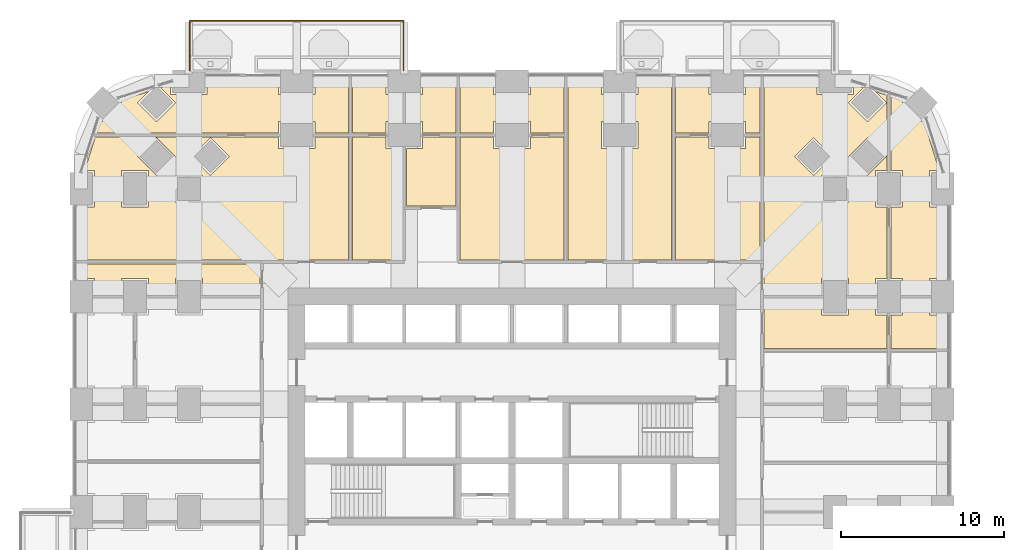
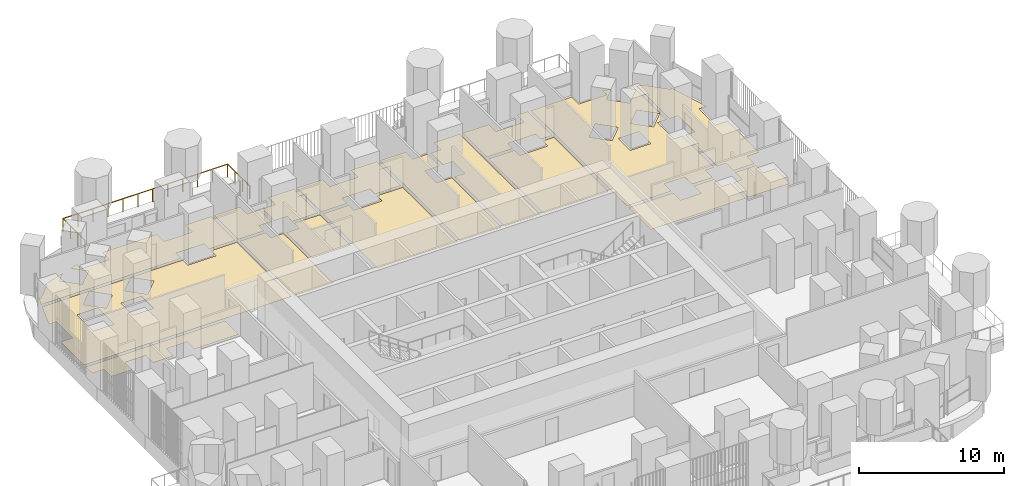
# One storey, part 25 of 27: 17 coverings, 1 railing.
"""IFC4 building model written with IfcOpenShell, lengths in metres."""

from ifc_helpers import new_model, si_unit, direction, frame, origin, place, context, subcontext, project, spatial, polyline, outline, extrude, material, layer, layer_set, type_object, element, save


model = new_model("IFC4")

# Units and contexts
model_context = context("Model", 3, precision=1e-05, world=origin(), true_north=direction((0.0, 1.0)))
body_context = subcontext(model_context, "Body", "Model", "MODEL_VIEW")
ifc_project = project(units=[si_unit("LENGTHUNIT", "METRE"), si_unit("AREAUNIT", "SQUARE_METRE"), si_unit("VOLUMEUNIT", "CUBIC_METRE"), si_unit("PLANEANGLEUNIT", "RADIAN"), si_unit("MASSUNIT", "GRAM", prefix="KILO")], contexts=[model_context])

# Site, building, storey
site_placement = place(None, origin())
site = spatial("IfcSite", under=ifc_project, at=site_placement, CompositionType="ELEMENT")
building_placement = place(site_placement, origin())
building = spatial("IfcBuilding", under=site, at=building_placement, Name="Cobogo Forest Laboratory Tower", CompositionType="ELEMENT")
storey_placement = place(building_placement, frame((0.0, 0.0, 71.699951171875)))
storey = spatial("IfcBuildingStorey", under=building, at=storey_placement, Name="L16", CompositionType="ELEMENT", Elevation=71.699951171875)

# Railing
ifc_material_1 = material(Name="Laminated glass balustrade", Category="glass")
railing_type = type_object("IfcRailingType", Name="BG1 glass balustrade 1100", PredefinedType="GUARDRAIL", material=ifc_material_1)
railing_placement = place(storey_placement, frame((6.64990234375, 46.85009765625, 0.0)))
element("IfcRailing", 1, at=railing_placement, inside=storey, type_object=railing_type, Name="Balcony balustrade BAL-N1 L16", PredefinedType="GUARDRAIL", context=body_context, shape_type="SweptSolid", body=[
    extrude(outline(polyline([(0.022216796875, 0.00927734375), (0.00927734375, 0.022216796875), (-0.00927734375, 0.022216796875), (-0.022216796875, 0.00927734375), (-0.022216796875, -0.00927734375), (-0.00927734375, -0.022216796875), (0.00927734375, -0.022216796875), (0.022216796875, -0.00927734375), (0.022216796875, 0.00927734375)])), frame((0.0, 0.0, 1.077880859375), z_axis=(0.0, 1.0, 0.0), x_axis=(-1.0, 0.0, 0.0)), (0.0, 0.0, 1.0), 3.0498046875),
    extrude(outline(polyline([(0.022216796875, 0.00927734375), (0.00927734375, 0.022216796875), (-0.00927734375, 0.022216796875), (-0.022216796875, 0.00927734375), (-0.022216796875, -0.00927734375), (-0.00927734375, -0.022216796875), (0.00927734375, -0.022216796875), (0.022216796875, -0.00927734375), (0.022216796875, 0.00927734375)])), frame((0.0, 3.0498046875, 1.077880859375), z_axis=(1.0, 0.0, 0.0), x_axis=(0.0, 1.0, 0.0)), (0.0, 0.0, 1.0), 13.10009765625),
    extrude(outline(polyline([(0.022216796875, 0.00927734375), (0.00927734375, 0.022216796875), (-0.00927734375, 0.022216796875), (-0.022216796875, 0.00927734375), (-0.022216796875, -0.00927734375), (-0.00927734375, -0.022216796875), (0.00927734375, -0.022216796875), (0.022216796875, -0.00927734375), (0.022216796875, 0.00927734375)])), frame((13.10009765625, 3.0498046875, 1.077880859375), z_axis=(0.0, -1.0, 0.0), x_axis=(1.0, 0.0, 0.0)), (0.0, 0.0, 1.0), 3.0498046875),
    extrude(outline(polyline([(0.019287109375, 0.008056640625), (0.008056640625, 0.019287109375), (-0.008056640625, 0.019287109375), (-0.019287109375, 0.008056640625), (-0.019287109375, -0.008056640625), (-0.008056640625, -0.019287109375), (0.008056640625, -0.019287109375), (0.019287109375, -0.008056640625), (0.019287109375, 0.008056640625)])), origin(), (0.0, 0.0, 1.0), 1.077880859375),
    extrude(outline(polyline([(0.019287109375, 0.008056640625), (0.008056640625, 0.019287109375), (-0.008056640625, 0.019287109375), (-0.019287109375, 0.008056640625), (-0.019287109375, -0.008056640625), (-0.008056640625, -0.019287109375), (0.008056640625, -0.019287109375), (0.019287109375, -0.008056640625), (0.019287109375, 0.008056640625)])), frame((0.0, 1.0166015625, 0.0)), (0.0, 0.0, 1.0), 1.077880859375),
    extrude(outline(polyline([(0.019287109375, 0.008056640625), (0.008056640625, 0.019287109375), (-0.008056640625, 0.019287109375), (-0.019287109375, 0.008056640625), (-0.019287109375, -0.008056640625), (-0.008056640625, -0.019287109375), (0.008056640625, -0.019287109375), (0.019287109375, -0.008056640625), (0.019287109375, 0.008056640625)])), frame((0.0, 2.033203125, 0.0)), (0.0, 0.0, 1.0), 1.077880859375),
    extrude(outline(polyline([(0.019287109375, 0.008056640625), (0.008056640625, 0.019287109375), (-0.008056640625, 0.019287109375), (-0.019287109375, 0.008056640625), (-0.019287109375, -0.008056640625), (-0.008056640625, -0.019287109375), (0.008056640625, -0.019287109375), (0.019287109375, -0.008056640625), (0.019287109375, 0.008056640625)])), frame((0.0, 3.0498046875, 0.0)), (0.0, 0.0, 1.0), 1.077880859375),
    extrude(outline(polyline([(0.019287109375, 0.008056640625), (0.008056640625, 0.019287109375), (-0.008056640625, 0.019287109375), (-0.019287109375, 0.008056640625), (-0.019287109375, -0.008056640625), (-0.008056640625, -0.019287109375), (0.008056640625, -0.019287109375), (0.019287109375, -0.008056640625), (0.019287109375, 0.008056640625)])), frame((1.19091796875, 3.0498046875, 0.0)), (0.0, 0.0, 1.0), 1.077880859375),
    extrude(outline(polyline([(0.019287109375, 0.008056640625), (0.008056640625, 0.019287109375), (-0.008056640625, 0.019287109375), (-0.019287109375, 0.008056640625), (-0.019287109375, -0.008056640625), (-0.008056640625, -0.019287109375), (0.008056640625, -0.019287109375), (0.019287109375, -0.008056640625), (0.019287109375, 0.008056640625)])), frame((2.3818359375, 3.0498046875, 0.0)), (0.0, 0.0, 1.0), 1.077880859375),
    extrude(outline(polyline([(0.019287109375, 0.008056640625), (0.008056640625, 0.019287109375), (-0.008056640625, 0.019287109375), (-0.019287109375, 0.008056640625), (-0.019287109375, -0.008056640625), (-0.008056640625, -0.019287109375), (0.008056640625, -0.019287109375), (0.019287109375, -0.008056640625), (0.019287109375, 0.008056640625)])), frame((3.57275390625, 3.0498046875, 0.0)), (0.0, 0.0, 1.0), 1.077880859375),
    extrude(outline(polyline([(0.019287109375, 0.008056640625), (0.008056640625, 0.019287109375), (-0.008056640625, 0.019287109375), (-0.019287109375, 0.008056640625), (-0.019287109375, -0.008056640625), (-0.008056640625, -0.019287109375), (0.008056640625, -0.019287109375), (0.019287109375, -0.008056640625), (0.019287109375, 0.008056640625)])), frame((4.763671875, 3.0498046875, 0.0)), (0.0, 0.0, 1.0), 1.077880859375),
    extrude(outline(polyline([(0.019287109375, 0.008056640625), (0.008056640625, 0.019287109375), (-0.008056640625, 0.019287109375), (-0.019287109375, 0.008056640625), (-0.019287109375, -0.008056640625), (-0.008056640625, -0.019287109375), (0.008056640625, -0.019287109375), (0.019287109375, -0.008056640625), (0.019287109375, 0.008056640625)])), frame((5.95458984375, 3.0498046875, 0.0)), (0.0, 0.0, 1.0), 1.077880859375),
    extrude(outline(polyline([(0.019287109375, 0.008056640625), (0.008056640625, 0.019287109375), (-0.008056640625, 0.019287109375), (-0.019287109375, 0.008056640625), (-0.019287109375, -0.008056640625), (-0.008056640625, -0.019287109375), (0.008056640625, -0.019287109375), (0.019287109375, -0.008056640625), (0.019287109375, 0.008056640625)])), frame((7.1455078125, 3.0498046875, 0.0)), (0.0, 0.0, 1.0), 1.077880859375),
    extrude(outline(polyline([(0.019287109375, 0.008056640625), (0.008056640625, 0.019287109375), (-0.008056640625, 0.019287109375), (-0.019287109375, 0.008056640625), (-0.019287109375, -0.008056640625), (-0.008056640625, -0.019287109375), (0.008056640625, -0.019287109375), (0.019287109375, -0.008056640625), (0.019287109375, 0.008056640625)])), frame((8.33642578125, 3.0498046875, 0.0)), (0.0, 0.0, 1.0), 1.077880859375),
    extrude(outline(polyline([(0.019287109375, 0.008056640625), (0.008056640625, 0.019287109375), (-0.008056640625, 0.019287109375), (-0.019287109375, 0.008056640625), (-0.019287109375, -0.008056640625), (-0.008056640625, -0.019287109375), (0.008056640625, -0.019287109375), (0.019287109375, -0.008056640625), (0.019287109375, 0.008056640625)])), frame((9.52734375, 3.0498046875, 0.0)), (0.0, 0.0, 1.0), 1.077880859375),
    extrude(outline(polyline([(0.019287109375, 0.008056640625), (0.008056640625, 0.019287109375), (-0.008056640625, 0.019287109375), (-0.019287109375, 0.008056640625), (-0.019287109375, -0.008056640625), (-0.008056640625, -0.019287109375), (0.008056640625, -0.019287109375), (0.019287109375, -0.008056640625), (0.019287109375, 0.008056640625)])), frame((10.71826171875, 3.0498046875, 0.0)), (0.0, 0.0, 1.0), 1.077880859375),
    extrude(outline(polyline([(0.019287109375, 0.008056640625), (0.008056640625, 0.019287109375), (-0.008056640625, 0.019287109375), (-0.019287109375, 0.008056640625), (-0.019287109375, -0.008056640625), (-0.008056640625, -0.019287109375), (0.008056640625, -0.019287109375), (0.019287109375, -0.008056640625), (0.019287109375, 0.008056640625)])), frame((11.9091796875, 3.0498046875, 0.0)), (0.0, 0.0, 1.0), 1.077880859375),
    extrude(outline(polyline([(0.019287109375, 0.008056640625), (0.008056640625, 0.019287109375), (-0.008056640625, 0.019287109375), (-0.019287109375, 0.008056640625), (-0.019287109375, -0.008056640625), (-0.008056640625, -0.019287109375), (0.008056640625, -0.019287109375), (0.019287109375, -0.008056640625), (0.019287109375, 0.008056640625)])), frame((13.10009765625, 3.0498046875, 0.0)), (0.0, 0.0, 1.0), 1.077880859375),
    extrude(outline(polyline([(0.019287109375, 0.008056640625), (0.008056640625, 0.019287109375), (-0.008056640625, 0.019287109375), (-0.019287109375, 0.008056640625), (-0.019287109375, -0.008056640625), (-0.008056640625, -0.019287109375), (0.008056640625, -0.019287109375), (0.019287109375, -0.008056640625), (0.019287109375, 0.008056640625)])), frame((13.10009765625, 2.033203125, 0.0)), (0.0, 0.0, 1.0), 1.077880859375),
    extrude(outline(polyline([(0.019287109375, 0.008056640625), (0.008056640625, 0.019287109375), (-0.008056640625, 0.019287109375), (-0.019287109375, 0.008056640625), (-0.019287109375, -0.008056640625), (-0.008056640625, -0.019287109375), (0.008056640625, -0.019287109375), (0.019287109375, -0.008056640625), (0.019287109375, 0.008056640625)])), frame((13.10009765625, 1.0166015625, 0.0)), (0.0, 0.0, 1.0), 1.077880859375),
    extrude(outline(polyline([(0.019287109375, 0.008056640625), (0.008056640625, 0.019287109375), (-0.008056640625, 0.019287109375), (-0.019287109375, 0.008056640625), (-0.019287109375, -0.008056640625), (-0.008056640625, -0.019287109375), (0.008056640625, -0.019287109375), (0.019287109375, -0.008056640625), (0.019287109375, 0.008056640625)])), frame((13.10009765625, 0.0, 0.0)), (0.0, 0.0, 1.0), 1.077880859375),
])

# Coverings
ifc_material_2 = material(Name="Carpet tile on raised access floor", Category="flooring")
ifc_layer_1 = layer(ifc_material_2, 0.008056640625)
ifc_layer_set_1 = layer_set([ifc_layer_1], Name="CT1 carpet tile floor 8")
covering_type_1 = type_object("IfcCoveringType", Name="CT1 carpet tile floor 8", PredefinedType="FLOORING", material=ifc_layer_set_1)
covering_1_placement = place(storey_placement, origin())
element("IfcCovering", 2, at=covering_1_placement, inside=storey, type_object=covering_type_1, Name="Carpet floor L16-16", PredefinedType="FLOORING", context=body_context, shape_type="SweptSolid", body=[
    extrude(outline(polyline([(49.6201171875, 31.8798828125), (50.320068359375, 31.8798828125), (50.320068359375, 32.8798828125), (51.97998046875, 32.8798828125), (51.97998046875, 31.8798828125), (52.949951171875, 31.8798828125), (52.949951171875, 29.820068359375), (49.6201171875, 29.820068359375), (49.6201171875, 31.8798828125)])), origin(), (0.0, 0.0, 1.0), 0.008056640625),
])
covering_2_placement = place(storey_placement, origin())
element("IfcCovering", 3, at=covering_2_placement, inside=storey, type_object=covering_type_1, Name="Carpet floor L16-18", PredefinedType="FLOORING", context=body_context, shape_type="SweptSolid", body=[
    extrude(outline(polyline([(49.6201171875, 38.47998046875), (50.320068359375, 38.47998046875), (50.320068359375, 40.719970703125), (49.6201171875, 40.719970703125), (49.6201171875, 45.26025390625), (50.441162109375, 45.0009765625), (50.322265625, 44.882080078125), (51.48193359375, 43.722412109375), (51.600830078125, 43.84130859375), (52.586669921875, 40.719970703125), (51.97998046875, 40.719970703125), (51.97998046875, 38.47998046875), (52.949951171875, 38.47998046875), (52.949951171875, 34.1201171875), (51.97998046875, 34.1201171875), (51.97998046875, 33.1201171875), (50.320068359375, 33.1201171875), (50.320068359375, 34.1201171875), (49.6201171875, 34.1201171875), (49.6201171875, 38.47998046875)])), origin(), (0.0, 0.0, 1.0), 0.008056640625),
])
covering_3_placement = place(storey_placement, origin())
element("IfcCovering", 4, at=covering_3_placement, inside=storey, type_object=covering_type_1, Name="Carpet floor L16-19", PredefinedType="FLOORING", context=body_context, shape_type="SweptSolid", body=[
    extrude(outline(polyline([(16.3798828125, 35.2451171875), (-0.14990234375, 35.2451171875), (-0.14990234375, 38.47998046875), (0.820068359375, 38.47998046875), (0.820068359375, 40.719970703125), (0.21337890625, 40.719970703125), (0.864013671875, 42.780029296875), (12.080078125, 42.780029296875), (12.080078125, 42.080078125), (14.320068359375, 42.080078125), (14.320068359375, 42.780029296875), (16.3798828125, 42.780029296875), (16.3798828125, 35.2451171875)]), holes=[polyline([(6.75830078125, 41.58203125), (7.91796875, 40.42236328125), (9.07763671875, 41.58203125), (7.91796875, 42.74169921875), (6.75830078125, 41.58203125)]), polyline([(5.780029296875, 40.419921875), (5.780029296875, 38.780029296875), (7.419921875, 38.780029296875), (7.419921875, 40.419921875), (5.780029296875, 40.419921875)]), polyline([(3.458251953125, 41.58203125), (4.617919921875, 40.42236328125), (5.777587890625, 41.58203125), (4.617919921875, 42.74169921875), (3.458251953125, 41.58203125)]), polyline([(2.47998046875, 38.47998046875), (4.1201171875, 38.47998046875), (4.1201171875, 40.719970703125), (2.47998046875, 40.719970703125), (2.47998046875, 38.47998046875)])]), origin(), (0.0, 0.0, 1.0), 0.008056640625),
])
covering_4_placement = place(storey_placement, origin())
element("IfcCovering", 5, at=covering_4_placement, inside=storey, type_object=covering_type_1, Name="Carpet floor L16-20", PredefinedType="FLOORING", context=body_context, shape_type="SweptSolid", body=[
    extrude(outline(polyline([(14.320068359375, 43.02001953125), (14.320068359375, 43.719970703125), (12.080078125, 43.719970703125), (12.080078125, 43.02001953125), (0.939697265625, 43.02001953125), (1.19921875, 43.84130859375), (1.318115234375, 43.722412109375), (2.477783203125, 44.882080078125), (2.358642578125, 45.0009765625), (4.1396484375, 45.563232421875), (3.458251953125, 44.882080078125), (4.617919921875, 43.722412109375), (5.777587890625, 44.882080078125), (4.86669921875, 45.79296875), (5.47998046875, 45.986572265625), (5.47998046875, 45.3798828125), (7.719970703125, 45.3798828125), (7.719970703125, 46.35009765625), (12.080078125, 46.35009765625), (12.080078125, 45.3798828125), (14.320068359375, 45.3798828125), (14.320068359375, 46.35009765625), (16.3798828125, 46.35009765625), (16.3798828125, 43.02001953125), (14.320068359375, 43.02001953125)])), origin(), (0.0, 0.0, 1.0), 0.008056640625),
])
covering_5_placement = place(storey_placement, origin())
element("IfcCovering", 6, at=covering_5_placement, inside=storey, type_object=covering_type_1, Name="Carpet floor L16-21", PredefinedType="FLOORING", context=body_context, shape_type="SweptSolid", body=[
    extrude(outline(polyline([(16.6201171875, 42.780029296875), (18.679931640625, 42.780029296875), (18.679931640625, 42.080078125), (19.679931640625, 42.080078125), (19.679931640625, 35.2451171875), (16.6201171875, 35.2451171875), (16.6201171875, 42.780029296875)])), origin(), (0.0, 0.0, 1.0), 0.008056640625),
])
covering_6_placement = place(storey_placement, origin())
element("IfcCovering", 7, at=covering_6_placement, inside=storey, type_object=covering_type_1, Name="Carpet floor L16-22", PredefinedType="FLOORING", context=body_context, shape_type="SweptSolid", body=[
    extrude(outline(polyline([(16.6201171875, 43.02001953125), (16.6201171875, 46.35009765625), (18.679931640625, 46.35009765625), (18.679931640625, 45.3798828125), (19.679931640625, 45.3798828125), (19.679931640625, 43.719970703125), (18.679931640625, 43.719970703125), (18.679931640625, 43.02001953125), (16.6201171875, 43.02001953125)])), origin(), (0.0, 0.0, 1.0), 0.008056640625),
])
covering_7_placement = place(storey_placement, origin())
element("IfcCovering", 8, at=covering_7_placement, inside=storey, type_object=covering_type_1, Name="Carpet floor L16-24", PredefinedType="FLOORING", context=body_context, shape_type="SweptSolid", body=[
    extrude(outline(polyline([(20.919921875, 43.02001953125), (20.919921875, 43.719970703125), (19.919921875, 43.719970703125), (19.919921875, 45.3798828125), (20.919921875, 45.3798828125), (20.919921875, 46.35009765625), (22.97998046875, 46.35009765625), (22.97998046875, 43.02001953125), (20.919921875, 43.02001953125)])), origin(), (0.0, 0.0, 1.0), 0.008056640625),
])
covering_8_placement = place(storey_placement, origin())
element("IfcCovering", 9, at=covering_8_placement, inside=storey, type_object=covering_type_1, Name="Carpet floor L16-26", PredefinedType="FLOORING", context=body_context, shape_type="SweptSolid", body=[
    extrude(outline(polyline([(27.52001953125, 43.02001953125), (27.52001953125, 43.719970703125), (25.280029296875, 43.719970703125), (25.280029296875, 43.02001953125), (23.219970703125, 43.02001953125), (23.219970703125, 46.35009765625), (25.280029296875, 46.35009765625), (25.280029296875, 45.3798828125), (27.52001953125, 45.3798828125), (27.52001953125, 46.35009765625), (29.580078125, 46.35009765625), (29.580078125, 43.02001953125), (27.52001953125, 43.02001953125)])), origin(), (0.0, 0.0, 1.0), 0.008056640625),
])
covering_9_placement = place(storey_placement, origin())
element("IfcCovering", 10, at=covering_9_placement, inside=storey, type_object=covering_type_1, Name="Carpet floor L16-27", PredefinedType="FLOORING", context=body_context, shape_type="SweptSolid", body=[
    extrude(outline(polyline([(29.820068359375, 35.2451171875), (29.820068359375, 46.35009765625), (31.8798828125, 46.35009765625), (31.8798828125, 45.3798828125), (33.080078125, 45.3798828125), (33.080078125, 43.719970703125), (31.8798828125, 43.719970703125), (31.8798828125, 42.080078125), (33.080078125, 42.080078125), (33.080078125, 35.2451171875), (29.820068359375, 35.2451171875)])), origin(), (0.0, 0.0, 1.0), 0.008056640625),
])
covering_10_placement = place(storey_placement, origin())
element("IfcCovering", 11, at=covering_10_placement, inside=storey, type_object=covering_type_1, Name="Carpet floor L16-30", PredefinedType="FLOORING", context=body_context, shape_type="SweptSolid", body=[
    extrude(outline(polyline([(40.719970703125, 43.02001953125), (40.719970703125, 43.719970703125), (38.47998046875, 43.719970703125), (38.47998046875, 43.02001953125), (36.419921875, 43.02001953125), (36.419921875, 46.35009765625), (38.47998046875, 46.35009765625), (38.47998046875, 45.3798828125), (40.719970703125, 45.3798828125), (40.719970703125, 46.35009765625), (41.60498046875, 46.35009765625), (41.60498046875, 43.02001953125), (40.719970703125, 43.02001953125)])), origin(), (0.0, 0.0, 1.0), 0.008056640625),
])
covering_11_placement = place(storey_placement, origin())
element("IfcCovering", 12, at=covering_11_placement, inside=storey, type_object=covering_type_1, Name="Carpet floor L16-39", PredefinedType="FLOORING", context=body_context, shape_type="SweptSolid", body=[
    extrude(outline(polyline([(10.955078125, 33.1201171875), (7.419921875, 33.1201171875), (7.419921875, 34.1201171875), (5.780029296875, 34.1201171875), (5.780029296875, 33.1201171875), (4.1201171875, 33.1201171875), (4.1201171875, 34.1201171875), (2.47998046875, 34.1201171875), (2.47998046875, 33.1201171875), (0.820068359375, 33.1201171875), (0.820068359375, 34.1201171875), (-0.14990234375, 34.1201171875), (-0.14990234375, 35.0048828125), (10.955078125, 35.0048828125), (10.955078125, 33.1201171875)])), origin(), (0.0, 0.0, 1.0), 0.008056640625),
])
ifc_material_3 = material(Name="Epoxy resin flooring", Category="flooring")
ifc_layer_2 = layer(ifc_material_3, 0.00390625)
ifc_layer_set_2 = layer_set([ifc_layer_2], Name="LF1 epoxy laboratory floor 4")
covering_type_2 = type_object("IfcCoveringType", Name="LF1 epoxy laboratory floor 4", PredefinedType="FLOORING", material=ifc_layer_set_2)
covering_12_placement = place(storey_placement, origin())
element("IfcCovering", 13, at=covering_12_placement, inside=storey, type_object=covering_type_2, Name="Epoxy laboratory floor L16-15", PredefinedType="FLOORING", context=body_context, shape_type="SweptSolid", body=[
    extrude(outline(polyline([(41.844970703125, 32.8798828125), (45.3798828125, 32.8798828125), (45.3798828125, 31.8798828125), (47.02001953125, 31.8798828125), (47.02001953125, 32.8798828125), (48.679931640625, 32.8798828125), (48.679931640625, 31.8798828125), (49.3798828125, 31.8798828125), (49.3798828125, 29.820068359375), (41.844970703125, 29.820068359375), (41.844970703125, 32.8798828125)])), origin(), (0.0, 0.0, 1.0), 0.004150390625),
])
covering_13_placement = place(storey_placement, origin())
element("IfcCovering", 14, at=covering_13_placement, inside=storey, type_object=covering_type_2, Name="Epoxy laboratory floor L16-17", PredefinedType="FLOORING", context=body_context, shape_type="SweptSolid", body=[
    extrude(outline(polyline([(47.02001953125, 33.1201171875), (47.02001953125, 34.1201171875), (45.3798828125, 34.1201171875), (45.3798828125, 33.1201171875), (41.844970703125, 33.1201171875), (41.844970703125, 46.35009765625), (45.080078125, 46.35009765625), (45.080078125, 45.3798828125), (47.320068359375, 45.3798828125), (47.320068359375, 45.986572265625), (47.933349609375, 45.79296875), (47.022216796875, 44.882080078125), (48.181884765625, 43.722412109375), (49.341552734375, 44.882080078125), (48.660400390625, 45.563232421875), (49.3798828125, 45.3359375), (49.3798828125, 40.719970703125), (48.679931640625, 40.719970703125), (48.679931640625, 38.47998046875), (49.3798828125, 38.47998046875), (49.3798828125, 34.1201171875), (48.679931640625, 34.1201171875), (48.679931640625, 33.1201171875), (47.02001953125, 33.1201171875)]), holes=[polyline([(47.022216796875, 41.58203125), (48.181884765625, 40.42236328125), (49.341552734375, 41.58203125), (48.181884765625, 42.74169921875), (47.022216796875, 41.58203125)]), polyline([(47.02001953125, 40.419921875), (45.3798828125, 40.419921875), (45.3798828125, 38.780029296875), (47.02001953125, 38.780029296875), (47.02001953125, 40.419921875)]), polyline([(43.722412109375, 41.58203125), (44.882080078125, 40.42236328125), (46.041748046875, 41.58203125), (44.882080078125, 42.74169921875), (43.722412109375, 41.58203125)])]), origin(), (0.0, 0.0, 1.0), 0.004150390625),
])
covering_14_placement = place(storey_placement, origin())
element("IfcCovering", 15, at=covering_14_placement, inside=storey, type_object=covering_type_2, Name="Epoxy laboratory floor L16-23", PredefinedType="FLOORING", context=body_context, shape_type="SweptSolid", body=[
    extrude(outline(polyline([(19.919921875, 42.080078125), (20.919921875, 42.080078125), (20.919921875, 42.780029296875), (22.97998046875, 42.780029296875), (22.97998046875, 38.544921875), (19.919921875, 38.544921875), (19.919921875, 42.080078125)])), origin(), (0.0, 0.0, 1.0), 0.004150390625),
])
covering_15_placement = place(storey_placement, origin())
element("IfcCovering", 16, at=covering_15_placement, inside=storey, type_object=covering_type_2, Name="Epoxy laboratory floor L16-25", PredefinedType="FLOORING", context=body_context, shape_type="SweptSolid", body=[
    extrude(outline(polyline([(23.219970703125, 42.780029296875), (25.280029296875, 42.780029296875), (25.280029296875, 42.080078125), (27.52001953125, 42.080078125), (27.52001953125, 42.780029296875), (29.580078125, 42.780029296875), (29.580078125, 35.2451171875), (23.219970703125, 35.2451171875), (23.219970703125, 42.780029296875)])), origin(), (0.0, 0.0, 1.0), 0.004150390625),
])
covering_16_placement = place(storey_placement, origin())
element("IfcCovering", 17, at=covering_16_placement, inside=storey, type_object=covering_type_2, Name="Epoxy laboratory floor L16-29", PredefinedType="FLOORING", context=body_context, shape_type="SweptSolid", body=[
    extrude(outline(polyline([(36.419921875, 42.780029296875), (38.47998046875, 42.780029296875), (38.47998046875, 42.080078125), (40.719970703125, 42.080078125), (40.719970703125, 42.780029296875), (41.60498046875, 42.780029296875), (41.60498046875, 35.2451171875), (36.419921875, 35.2451171875), (36.419921875, 42.780029296875)])), origin(), (0.0, 0.0, 1.0), 0.004150390625),
])
ifc_material_4 = material(Name="Ceramic floor tile", Category="flooring")
ifc_layer_3 = layer(ifc_material_4, 0.010009765625)
ifc_layer_set_3 = layer_set([ifc_layer_3], Name="TF1 ceramic tile floor 10")
covering_type_3 = type_object("IfcCoveringType", Name="TF1 ceramic tile floor 10", PredefinedType="FLOORING", material=ifc_layer_set_3)
covering_17_placement = place(storey_placement, origin())
element("IfcCovering", 18, at=covering_17_placement, inside=storey, type_object=covering_type_3, Name="Tile floor L16-28", PredefinedType="FLOORING", context=body_context, shape_type="SweptSolid", body=[
    extrude(outline(polyline([(33.320068359375, 35.2451171875), (33.320068359375, 42.080078125), (34.1201171875, 42.080078125), (34.1201171875, 43.719970703125), (33.320068359375, 43.719970703125), (33.320068359375, 45.3798828125), (34.1201171875, 45.3798828125), (34.1201171875, 46.35009765625), (36.179931640625, 46.35009765625), (36.179931640625, 35.2451171875), (33.320068359375, 35.2451171875)])), origin(), (0.0, 0.0, 1.0), 0.010009765625),
])

save(model, "model.ifc")
